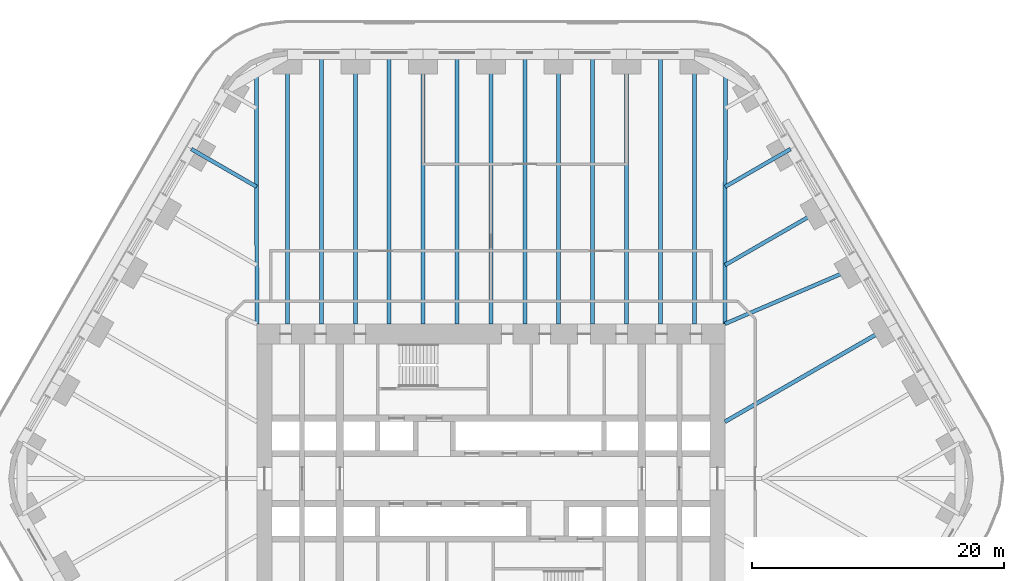
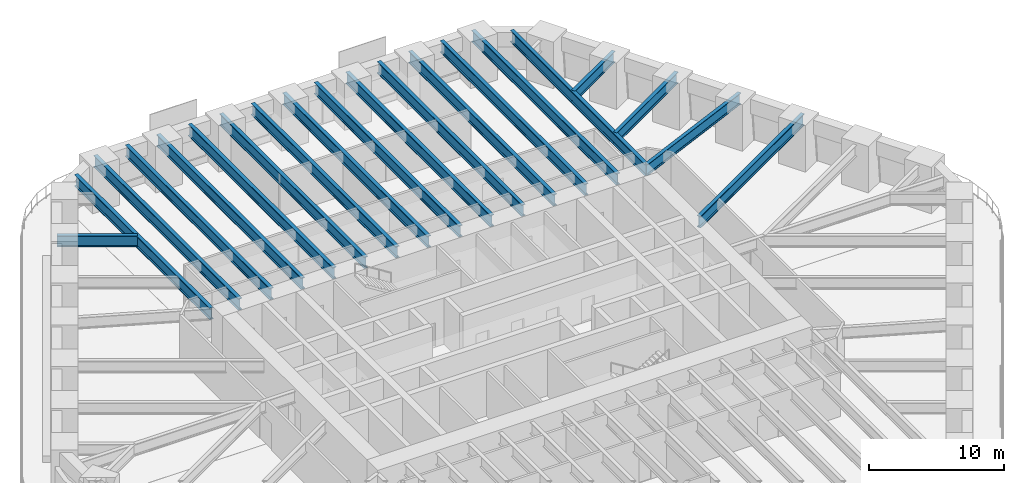
# One storey, part 10 of 23: 20 beams.
"""IFC4 building model written with IfcOpenShell, lengths in metres."""

from ifc_helpers import new_model, si_unit, direction, frame, origin, origin_2d, place, context, subcontext, project, spatial, i_section, extrude, material, material_profile, profile_set, type_object, element, save


model = new_model("IFC4")

# Units and contexts
model_context = context("Model", 3, precision=1e-05, world=origin(), true_north=direction((0.0, 1.0)))
body_context = subcontext(model_context, "Body", "Model", "MODEL_VIEW")
ifc_project = project(units=[si_unit("LENGTHUNIT", "METRE"), si_unit("AREAUNIT", "SQUARE_METRE"), si_unit("VOLUMEUNIT", "CUBIC_METRE"), si_unit("PLANEANGLEUNIT", "RADIAN"), si_unit("MASSUNIT", "GRAM", prefix="KILO")], contexts=[model_context])

# Site, building, storey
site_placement = place(None, origin())
site = spatial("IfcSite", under=ifc_project, at=site_placement, CompositionType="ELEMENT")
building_placement = place(site_placement, origin())
building = spatial("IfcBuilding", under=site, at=building_placement, Name="Tarfa Lantern Tower", CompositionType="ELEMENT")
storey_placement = place(building_placement, frame((0.0, 0.0, 27.699951171875)))
storey = spatial("IfcBuildingStorey", under=building, at=storey_placement, Name="L05", CompositionType="ELEMENT", Elevation=27.699951171875)

# Beams
ifc_material = material(Name="Steel S460M", Category="steel")
ifc_material_profile_1 = material_profile(ifc_material, i_section(OverallWidth=0.302001953125, OverallDepth=1.008056640625, WebThickness=0.02099609375, FlangeThickness=0.0400390625, FilletRadius=0.030029296875, at=origin_2d()), Name="UB1016x305x349")
ifc_profile_set_1 = profile_set([ifc_material_profile_1], Name="Steel S460M")
beam_type_1 = type_object("IfcBeamType", Name="UB1016x305x349", PredefinedType="BEAM", material=ifc_profile_set_1)
beam_1_placement = place(storey_placement, frame((29.202392578125, 16.860107421875, 3.49609375), z_axis=(-0.918635483867, -0.395106122175, 0.0), x_axis=(0.395106122175, -0.918635483867, 0.0)))
element("IfcBeam", 1, at=beam_1_placement, inside=storey, type_object=beam_type_1, Name="Floor beam NE3", PredefinedType="BEAM", context=body_context, shape_type="SweptSolid", body=[
    extrude(i_section(OverallWidth=0.302001953125, OverallDepth=1.008056640625, WebThickness=0.02099609375, FlangeThickness=0.0400390625, FilletRadius=0.030029296875, at=origin_2d()), origin(), (0.0, 0.0, 1.0), 11.541259765625),
])
beam_2_placement = place(storey_placement, frame((26.508056640625, 21.526611328125, 3.49609375), z_axis=(-0.866035355799, -0.49998276221, 0.0), x_axis=(0.49998276221, -0.866035355799, 0.0)))
element("IfcBeam", 2, at=beam_2_placement, inside=storey, type_object=beam_type_1, Name="Floor beam NE4", PredefinedType="BEAM", context=body_context, shape_type="SweptSolid", body=[
    extrude(i_section(OverallWidth=0.302001953125, OverallDepth=1.008056640625, WebThickness=0.02099609375, FlangeThickness=0.0400390625, FilletRadius=0.030029296875, at=origin_2d()), origin(), (0.0, 0.0, 1.0), 9.119873046875),
])
for number, where, z_axis, x_axis, name in (
    (3, (23.813720703125, 26.193359375, 3.49609375), (-0.866015997389, -0.500016292001, 0.0), (0.500016292001, -0.866015997389, 0.0), "Floor beam NE5"),
    (4, (-23.813720703125, 26.193359375, 3.49609375), (0.866015997389, -0.500016292001, 0.0), (0.500016292001, 0.866015997389, 0.0), "Floor beam NW1"),
):
    element("IfcBeam", number, at=place(storey_placement, frame(where, z_axis=z_axis, x_axis=x_axis)), inside=storey, type_object=beam_type_1, Name=name, PredefinedType="BEAM", context=body_context, shape_type="SweptSolid", body=[
        extrude(i_section(OverallWidth=0.302001953125, OverallDepth=1.008056640625, WebThickness=0.02099609375, FlangeThickness=0.0400390625, FilletRadius=0.030029296875, at=origin_2d()), origin(), (0.0, 0.0, 1.0), 5.993408203125),
    ])
ifc_material_profile_2 = material_profile(ifc_material, i_section(OverallWidth=0.314208984375, OverallDepth=1.055908203125, WebThickness=0.035888671875, FlangeThickness=0.06396484375, FilletRadius=0.030029296875, at=origin_2d()), Name="UB1016x305x584")
ifc_profile_set_2 = profile_set([ifc_material_profile_2], Name="Steel S460M")
beam_type_2 = type_object("IfcBeamType", Name="UB1016x305x584", PredefinedType="BEAM", material=ifc_profile_set_2)
for number, where, z_axis, x_axis, name in (
    (5, (18.60009765625, 12.300048828125, 3.47216796875), (0.00212508222, 0.99999774201, 0.0), (-0.99999774201, 0.00212508222, 0.0), "Hip girder NE"),
    (6, (-18.60009765625, 12.300048828125, 3.47216796875), (-0.00212508222, 0.99999774201, 0.0), (-0.99999774201, -0.00212508222, 0.0), "Hip girder NW"),
):
    element("IfcBeam", number, at=place(storey_placement, frame(where, z_axis=z_axis, x_axis=x_axis)), inside=storey, type_object=beam_type_2, Name=name, PredefinedType="BEAM", context=body_context, shape_type="SweptSolid", body=[
        extrude(i_section(OverallWidth=0.314208984375, OverallDepth=1.055908203125, WebThickness=0.035888671875, FlangeThickness=0.06396484375, FilletRadius=0.030029296875, at=origin_2d()), origin(), (0.0, 0.0, 1.0), 19.989990234375),
    ])
beam_3_placement = place(storey_placement, frame((31.896728515625, 12.193359375, 3.47216796875), z_axis=(-0.866026971665, -0.499997284341, 0.0), x_axis=(0.499997284341, -0.866026971665, 0.0)))
element("IfcBeam", 7, at=beam_3_placement, inside=storey, type_object=beam_type_2, Name="Floor beam NE2", PredefinedType="BEAM", context=body_context, shape_type="SweptSolid", body=[
    extrude(i_section(OverallWidth=0.314208984375, OverallDepth=1.055908203125, WebThickness=0.035888671875, FlangeThickness=0.06396484375, FilletRadius=0.030029296875, at=origin_2d()), origin(), (0.0, 0.0, 1.0), 15.353515625),
])
for number, where, z_axis, x_axis, name in (
    (8, (16.165771484375, 33.719970703125, 3.47216796875), (0.0, -1.0, 0.0), (1.0, 0.0, 0.0), "Floor beam N0"),
    (9, (10.777099609375, 33.719970703125, 3.47216796875), (0.0, -1.0, 0.0), (1.0, 0.0, 0.0), "Floor beam N1"),
    (10, (5.388671875, 33.719970703125, 3.47216796875), (0.0, -1.0, 0.0), (1.0, 0.0, 0.0), "Floor beam N2"),
    (11, (0.0, 33.719970703125, 3.47216796875), (0.0, -1.0, 0.0), (1.0, 0.0, 0.0), "Floor beam N3"),
    (12, (-5.388671875, 33.719970703125, 3.47216796875), (0.0, -1.0, 0.0), (1.0, 0.0, 0.0), "Floor beam N4"),
    (13, (-10.777099609375, 33.719970703125, 3.47216796875), (0.0, -1.0, 0.0), (1.0, 0.0, 0.0), "Floor beam N5"),
    (14, (-16.165771484375, 33.719970703125, 3.47216796875), (0.0, -1.0, 0.0), (1.0, 0.0, 0.0), "Floor beam N6"),
    (15, (13.471435546875, 33.719970703125, 3.47216796875), (0.0, -1.0, 0.0), (1.0, 0.0, 0.0), "Floor beam N0M"),
    (16, (8.0830078125, 33.719970703125, 3.47216796875), (0.0, -1.0, 0.0), (1.0, 0.0, 0.0), "Floor beam N1M"),
    (17, (2.6943359375, 33.719970703125, 3.47216796875), (0.0, -1.0, 0.0), (1.0, 0.0, 0.0), "Floor beam N2M"),
    (18, (-2.6943359375, 33.719970703125, 3.47216796875), (0.0, -1.0, 0.0), (1.0, 0.0, 0.0), "Floor beam N3M"),
    (19, (-8.0830078125, 33.719970703125, 3.47216796875), (0.0, -1.0, 0.0), (1.0, 0.0, 0.0), "Floor beam N4M"),
    (20, (-13.471435546875, 33.719970703125, 3.47216796875), (0.0, -1.0, 0.0), (1.0, 0.0, 0.0), "Floor beam N5M"),
):
    element("IfcBeam", number, at=place(storey_placement, frame(where, z_axis=z_axis, x_axis=x_axis)), inside=storey, type_object=beam_type_2, Name=name, PredefinedType="BEAM", context=body_context, shape_type="SweptSolid", body=[
        extrude(i_section(OverallWidth=0.314208984375, OverallDepth=1.055908203125, WebThickness=0.035888671875, FlangeThickness=0.06396484375, FilletRadius=0.030029296875, at=origin_2d()), origin(), (0.0, 0.0, 1.0), 21.419921875),
    ])

save(model, "model.ifc")
